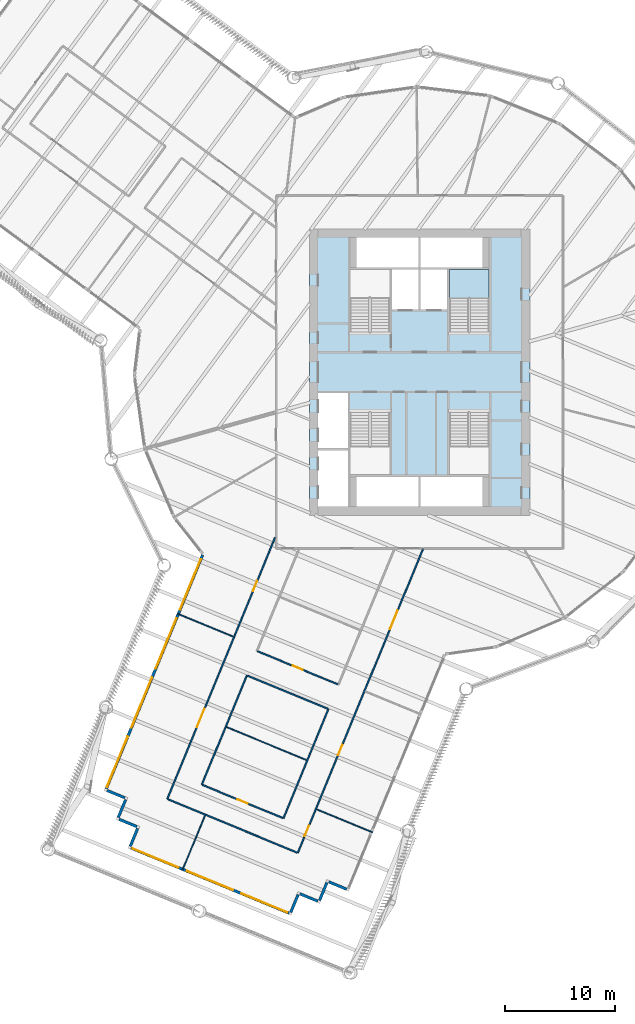
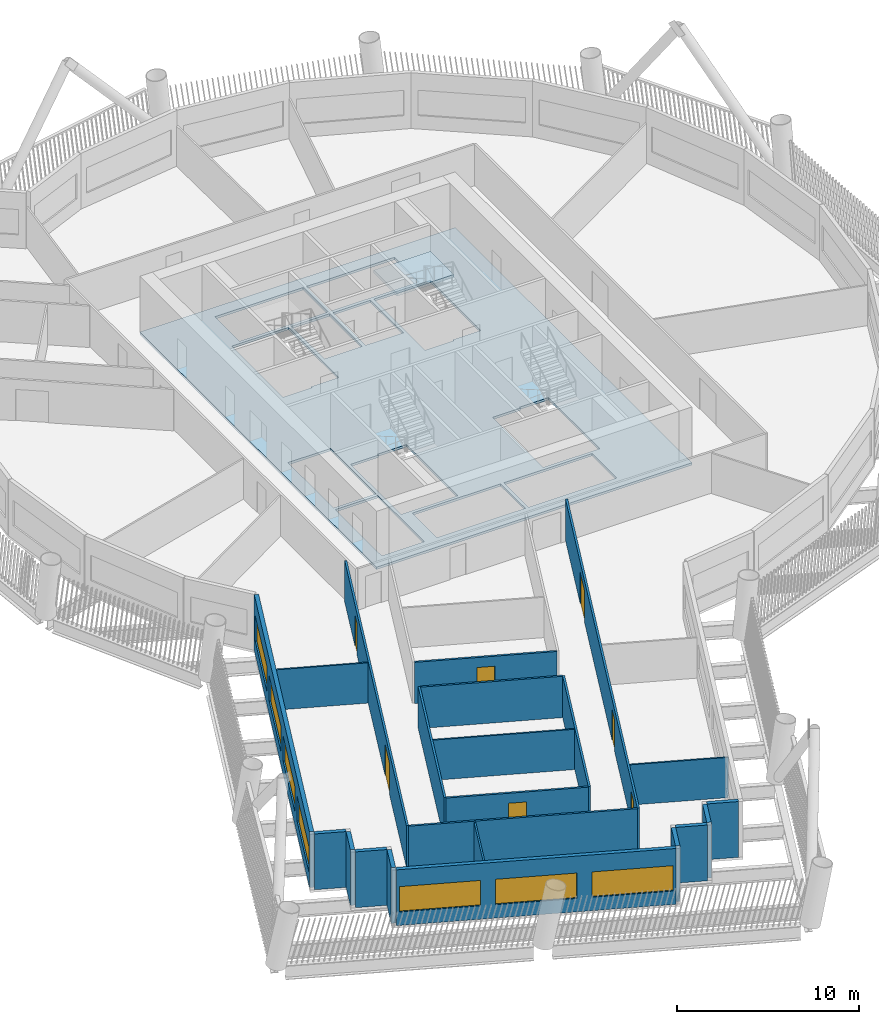
# One storey, part 3 of 23: 22 walls, 7 doors, 7 windows, 2 slabs, 14 openings, 1 element without a shape of its own.
"""IFC4 building model written with IfcOpenShell, lengths in metres."""

from ifc_helpers import new_model, si_unit, direction, frame, frame_2d, origin, place, context, subcontext, project, spatial, polyline, rectangle, outline, extrude, material, layer, layer_set, type_object, element, fill, aggregate, save


model = new_model("IFC4")

# Units and contexts
model_context = context("Model", 3, precision=1e-05, world=origin(), true_north=direction((0.0, 1.0)))
body_context = subcontext(model_context, "Body", "Model", "MODEL_VIEW")
ifc_project = project(units=[si_unit("LENGTHUNIT", "METRE"), si_unit("AREAUNIT", "SQUARE_METRE"), si_unit("VOLUMEUNIT", "CUBIC_METRE"), si_unit("PLANEANGLEUNIT", "RADIAN"), si_unit("MASSUNIT", "GRAM", prefix="KILO")], contexts=[model_context])

# Site, building, storey
site_placement = place(None, origin())
site = spatial("IfcSite", under=ifc_project, at=site_placement, CompositionType="ELEMENT")
building_placement = place(site_placement, origin())
building = spatial("IfcBuilding", under=site, at=building_placement, Name="Tarsis Ring Headquarters", CompositionType="ELEMENT")
storey_placement = place(building_placement, frame((0.0, 0.0, 124.0)))
storey = spatial("IfcBuildingStorey", under=building, at=storey_placement, Name="L28", CompositionType="ELEMENT", Elevation=124.0)

# Slab
ifc_material_1 = material(Name="Concrete C40/50", Category="concrete")
ifc_layer_1 = layer(ifc_material_1, 0.159912109375)
ifc_layer_set_1 = layer_set([ifc_layer_1], Name="Core floor slab 160 C40/50")
slab_type_1 = type_object("IfcSlabType", Name="Core floor slab 160 C40/50", PredefinedType="FLOOR", material=ifc_layer_set_1)
slab_1_placement = place(storey_placement, frame((0.0, 0.0, -0.159912109375)))
element("IfcSlab", 1, at=slab_1_placement, inside=storey, type_object=slab_type_1, Name="L28 core floor slab", PredefinedType="FLOOR", context=body_context, shape_type="SweptSolid", body=[
    extrude(outline(polyline([(-10.0, -13.0), (10.0, -13.0), (10.0, 13.0), (-10.0, 13.0), (-10.0, -13.0)]), holes=[polyline([(-2.5, 5.699951171875), (-0.10009765625, 5.699951171875), (-0.10009765625, 9.300048828125), (-2.5, 9.300048828125), (-2.5, 5.699951171875)]), polyline([(0.10009765625, 5.699951171875), (2.5, 5.699951171875), (2.5, 9.300048828125), (0.10009765625, 9.300048828125), (0.10009765625, 5.699951171875)]), polyline([(-9.199951171875, -12.199951171875), (-6.5, -12.199951171875), (-6.5, -7.10009765625), (-9.199951171875, -7.10009765625), (-9.199951171875, -12.199951171875)]), polyline([(-9.199951171875, -6.89990234375), (-6.5, -6.89990234375), (-6.5, -1.89990234375), (-9.199951171875, -1.89990234375), (-9.199951171875, -6.89990234375)]), polyline([(-5.699951171875, 9.5), (-0.10009765625, 9.5), (-0.10009765625, 12.199951171875), (-5.699951171875, 12.199951171875), (-5.699951171875, 9.5)]), polyline([(0.10009765625, 9.5), (5.699951171875, 9.5), (5.699951171875, 12.199951171875), (0.10009765625, 12.199951171875), (0.10009765625, 9.5)]), polyline([(-5.699951171875, -12.199951171875), (-0.10009765625, -12.199951171875), (-0.10009765625, -9.5), (-5.699951171875, -9.5), (-5.699951171875, -12.199951171875)]), polyline([(0.10009765625, -12.199951171875), (5.699951171875, -12.199951171875), (5.699951171875, -9.5), (0.10009765625, -9.5), (0.10009765625, -12.199951171875)]), polyline([(-2.699951171875, 3.760009765625), (-2.699951171875, 9.300048828125), (-6.300048828125, 9.300048828125), (-6.300048828125, 3.659912109375), (-4.4599609375, 3.659912109375), (-4.4599609375, 3.760009765625), (-2.699951171875, 3.760009765625)]), polyline([(6.300048828125, 3.760009765625), (6.300048828125, 9.300048828125), (2.699951171875, 9.300048828125), (2.699951171875, 3.659912109375), (4.5400390625, 3.659912109375), (4.5400390625, 3.760009765625), (6.300048828125, 3.760009765625)]), polyline([(-6.300048828125, -3.760009765625), (-6.300048828125, -9.300048828125), (-2.699951171875, -9.300048828125), (-2.699951171875, -3.659912109375), (-4.5400390625, -3.659912109375), (-4.5400390625, -3.760009765625), (-6.300048828125, -3.760009765625)]), polyline([(2.699951171875, -3.760009765625), (2.699951171875, -9.300048828125), (6.300048828125, -9.300048828125), (6.300048828125, -3.659912109375), (4.4599609375, -3.659912109375), (4.4599609375, -3.760009765625), (2.699951171875, -3.760009765625)])]), origin(), (0.0, 0.0, 1.0), 0.159912109375),
])

# Stair, slab
ifc_material_2 = material(Name="Core stair 1760")
stair_type = type_object("IfcStairType", Name="Core stair 1760", PredefinedType="HALF_TURN_STAIR", material=ifc_material_2)
stair_placement = place(storey_placement, origin())
stair = element("IfcStair", 2, at=stair_placement, inside=storey, type_object=stair_type, Name="L28 Exit stair B", PredefinedType="HALF_TURN_STAIR")
ifc_layer_2 = layer(ifc_material_1, 0.199951171875)
ifc_layer_set_2 = layer_set([ifc_layer_2], Name="Core stair landing 200")
slab_type_2 = type_object("IfcSlabType", Name="Core stair landing 200", PredefinedType="LANDING", material=ifc_layer_set_2)
slab_2_placement = place(storey_placement, frame((0.0, 0.0, 1.75)))
slab_2 = element("IfcSlab", 3, at=slab_2_placement, type_object=slab_type_2, Name="Stair ST2 landing 1", PredefinedType="LANDING", context=body_context, shape_type="SweptSolid", body=[
    extrude(outline(polyline([(6.300048828125, 6.739990234375), (6.300048828125, 9.300048828125), (2.699951171875, 9.300048828125), (2.699951171875, 6.739990234375), (6.300048828125, 6.739990234375)])), origin(), (0.0, 0.0, 1.0), 0.199951171875),
])
aggregate(stair, [slab_2])

# Walls
ifc_material_3 = material(Name="Gypsum board on steel studs", Category="steel")
ifc_layer_3 = layer(ifc_material_3, 0.10009765625)
ifc_layer_set_3 = layer_set([ifc_layer_3], Name="FL partition 100 unrated")
wall_type_1 = type_object("IfcWallType", Name="FL partition 100 unrated", PredefinedType="PARTITIONING", material=ifc_layer_set_3)
wall_1_placement = place(storey_placement, frame((-17.515869140625, -32.18359375, 0.0), z_axis=(0.0, 0.0, 1.0), x_axis=(0.924553254572, -0.381052856517, 0.0)))
element("IfcWall", 4, at=wall_1_placement, inside=storey, type_object=wall_type_1, Name="Partition PW3", PredefinedType="PARTITIONING", context=body_context, shape_type="SweptSolid", body=[
    extrude(rectangle(XDim=7.860107421875, YDim=0.10009765625, at=frame_2d((3.93017578125, 0.0))), origin(), (0.0, 0.0, 1.0), 2.699951171875),
])
wall_2_placement = place(storey_placement, frame((-21.95458984375, -21.90673828125, 0.0), z_axis=(0.0, 0.0, 1.0), x_axis=(0.924542413288, -0.381079159797, 0.0)))
element("IfcWall", 5, at=wall_2_placement, inside=storey, type_object=wall_type_1, Name="Partition PW3", PredefinedType="PARTITIONING", context=body_context, shape_type="SweptSolid", body=[
    extrude(rectangle(XDim=5.480224609375, YDim=0.10009765625, at=frame_2d((2.740234375, 0.0))), origin(), (0.0, 0.0, 1.0), 2.699951171875),
])
wall_3_placement = place(storey_placement, frame((-9.341064453125, -39.6416015625, 0.0), z_axis=(0.0, 0.0, 1.0), x_axis=(0.924558108734, -0.381041078591, 0.0)))
element("IfcWall", 6, at=wall_3_placement, inside=storey, type_object=wall_type_1, Name="Partition PW3", PredefinedType="PARTITIONING", context=body_context, shape_type="SweptSolid", body=[
    extrude(rectangle(XDim=5.47998046875, YDim=0.10009765625, at=frame_2d((2.739990234375, 0.0))), origin(), (0.0, 0.0, 1.0), 2.699951171875),
])
wall_4_placement = place(storey_placement, frame((-21.5029296875, -45.16357421875, 0.0), z_axis=(0.0, 0.0, 1.0), x_axis=(0.381035619802, 0.924560358464, 0.0)))
element("IfcWall", 7, at=wall_4_placement, inside=storey, type_object=wall_type_1, Name="Partition PW3", PredefinedType="PARTITIONING", context=body_context, shape_type="SweptSolid", body=[
    extrude(rectangle(XDim=5.369873046875, YDim=0.10009765625, at=frame_2d((2.68505859375, 0.0))), origin(), (0.0, 0.0, 1.0), 2.699951171875),
])

# Wall, openings, doors
ifc_layer_4 = layer(ifc_material_3, 0.125)
ifc_layer_set_4 = layer_set([ifc_layer_4], Name="FL partition 125 EI 60 H2770")
wall_type_2 = type_object("IfcWallType", Name="FL partition 125 EI 60 H2770", PredefinedType="PARTITIONING", material=ifc_layer_set_4)
wall_5_placement = place(storey_placement, frame((-11.044189453125, -43.59033203125, 0.0), z_axis=(0.0, 0.0, 1.0), x_axis=(0.381067853578, 0.92454707342, 0.0)))
wall_5 = element("IfcWall", 8, at=wall_5_placement, inside=storey, type_object=wall_type_2, Name="Partition PW1", PredefinedType="PARTITIONING", context=body_context, shape_type="SweptSolid", body=[
    extrude(rectangle(XDim=29.842041015625, YDim=0.125, at=frame_2d((14.9208984375, 0.0))), origin(), (0.0, 0.0, 1.0), 2.77001953125),
])
opening_1_placement = place(wall_5_placement, frame((21.957763671875, 0.0, 0.0)))
opening_1 = element("IfcOpeningElement", 9, at=opening_1_placement, cuts=wall_5, Name="Opening D28.09", PredefinedType="OPENING", context=body_context, shape_type="SweptSolid", body=[
    extrude(rectangle(XDim=1.800048828125, YDim=2.10009765625, at=frame_2d((0.89990234375, 1.050048828125))), frame((0.0, 0.072509765625, 0.0), z_axis=(0.0, -1.0, 0.0), x_axis=(1.0, 0.0, 0.0)), (0.0, 0.0, 1.0), 0.14501953125),
])
opening_2_placement = place(wall_5_placement, frame((9.585693359375, 0.0, 0.0)))
opening_2 = element("IfcOpeningElement", 10, at=opening_2_placement, cuts=wall_5, Name="Opening D28.10", PredefinedType="OPENING", context=body_context, shape_type="SweptSolid", body=[
    extrude(rectangle(XDim=1.0, YDim=2.10009765625, at=frame_2d((0.5, 1.050048828125))), frame((0.0, 0.072509765625, 0.0), z_axis=(0.0, -1.0, 0.0), x_axis=(1.0, 0.0, 0.0)), (0.0, 0.0, 1.0), 0.14501953125),
])
opening_3_placement = place(wall_5_placement, frame((1.64892578125, 0.0, 0.0)))
opening_3 = element("IfcOpeningElement", 11, at=opening_3_placement, cuts=wall_5, Name="Opening D28.11", PredefinedType="OPENING", context=body_context, shape_type="SweptSolid", body=[
    extrude(rectangle(XDim=1.0, YDim=2.10009765625, at=frame_2d((0.5, 1.050048828125))), frame((0.0, 0.072509765625, 0.0), z_axis=(0.0, -1.0, 0.0), x_axis=(1.0, 0.0, 0.0)), (0.0, 0.0, 1.0), 0.14501953125),
])
ifc_material_4 = material(Name="Fire-rated timber door leaf in steel frame", Category="steel")
door_type_1 = type_object("IfcDoorType", Name="FL door FD60-1000", OperationType="NOTDEFINED", PredefinedType="DOOR", material=ifc_material_4)
door_1_placement = place(opening_2_placement, origin())
door_1 = element("IfcDoor", 12, at=door_1_placement, inside=storey, type_object=door_type_1, Name="Door D28.10", OperationType="SINGLE_SWING_RIGHT", OverallHeight=2.10009765625, OverallWidth=1.0, PredefinedType="DOOR", context=body_context, shape_type="SweptSolid", body=[
    extrude(rectangle(XDim=1.0, YDim=2.10009765625, at=frame_2d((0.5, 1.050048828125))), frame((0.0, 0.02490234375, 0.0), z_axis=(0.0, -1.0, 0.0), x_axis=(1.0, 0.0, 0.0)), (0.0, 0.0, 1.0), 0.050048828125),
])
fill(opening_2, door_1)
door_2_placement = place(opening_3_placement, origin())
door_2 = element("IfcDoor", 13, at=door_2_placement, inside=storey, type_object=door_type_1, Name="Door D28.11", OperationType="SINGLE_SWING_LEFT", OverallHeight=2.10009765625, OverallWidth=1.0, PredefinedType="DOOR", context=body_context, shape_type="SweptSolid", body=[
    extrude(rectangle(XDim=1.0, YDim=2.10009765625, at=frame_2d((0.5, 1.050048828125))), frame((0.0, 0.02490234375, 0.0), z_axis=(0.0, -1.0, 0.0), x_axis=(1.0, 0.0, 0.0)), (0.0, 0.0, 1.0), 0.050048828125),
])
fill(opening_3, door_2)
door_type_2 = type_object("IfcDoorType", Name="FL door FD60-1800", OperationType="DOUBLE_DOOR_SINGLE_SWING", PredefinedType="DOOR", material=ifc_material_4)
door_3_placement = place(opening_1_placement, origin())
door_3 = element("IfcDoor", 14, at=door_3_placement, inside=storey, type_object=door_type_2, Name="Door D28.09", OperationType="DOUBLE_DOOR_SINGLE_SWING", OverallHeight=2.10009765625, OverallWidth=1.800048828125, PredefinedType="DOOR", context=body_context, shape_type="SweptSolid", body=[
    extrude(rectangle(XDim=1.800048828125, YDim=2.10009765625, at=frame_2d((0.89990234375, 1.050048828125))), frame((0.0, 0.02490234375, 0.0), z_axis=(0.0, -1.0, 0.0), x_axis=(1.0, 0.0, 0.0)), (0.0, 0.0, 1.0), 0.050048828125),
])
fill(opening_1, door_3)

wall_6_placement = place(storey_placement, frame((-22.87841796875, -38.712646484375, 0.0), z_axis=(0.0, 0.0, 1.0), x_axis=(0.381064034018, 0.924548647708, 0.0)))
wall_6 = element("IfcWall", 15, at=wall_6_placement, inside=storey, type_object=wall_type_2, Name="Partition PW1", PredefinedType="PARTITIONING", context=body_context, shape_type="SweptSolid", body=[
    extrude(rectangle(XDim=25.633056640625, YDim=0.125, at=frame_2d((12.81640625, 0.0))), origin(), (0.0, 0.0, 1.0), 2.77001953125),
])
opening_4_placement = place(wall_6_placement, frame((7.04443359375, 0.0, 0.0)))
opening_4 = element("IfcOpeningElement", 16, at=opening_4_placement, cuts=wall_6, Name="Opening D28.12", PredefinedType="OPENING", context=body_context, shape_type="SweptSolid", body=[
    extrude(rectangle(XDim=1.800048828125, YDim=2.10009765625, at=frame_2d((0.89990234375, 1.050048828125))), frame((0.0, 0.072509765625, 0.0), z_axis=(0.0, -1.0, 0.0), x_axis=(1.0, 0.0, 0.0)), (0.0, 0.0, 1.0), 0.14501953125),
])
opening_5_placement = place(wall_6_placement, frame((20.406005859375, 0.0, 0.0)))
opening_5 = element("IfcOpeningElement", 17, at=opening_5_placement, cuts=wall_6, Name="Opening D28.13", PredefinedType="OPENING", context=body_context, shape_type="SweptSolid", body=[
    extrude(rectangle(XDim=1.0, YDim=2.10009765625, at=frame_2d((0.5, 1.050048828125))), frame((0.0, 0.072509765625, 0.0), z_axis=(0.0, -1.0, 0.0), x_axis=(1.0, 0.0, 0.0)), (0.0, 0.0, 1.0), 0.14501953125),
])
door_4_placement = place(opening_5_placement, origin())
door_4 = element("IfcDoor", 18, at=door_4_placement, inside=storey, type_object=door_type_1, Name="Door D28.13", OperationType="SINGLE_SWING_LEFT", OverallHeight=2.10009765625, OverallWidth=1.0, PredefinedType="DOOR", context=body_context, shape_type="SweptSolid", body=[
    extrude(rectangle(XDim=1.0, YDim=2.10009765625, at=frame_2d((0.5, 1.050048828125))), frame((0.0, 0.02490234375, 0.0), z_axis=(0.0, -1.0, 0.0), x_axis=(1.0, 0.0, 0.0)), (0.0, 0.0, 1.0), 0.050048828125),
])
fill(opening_5, door_4)
door_5_placement = place(opening_4_placement, origin())
door_5 = element("IfcDoor", 19, at=door_5_placement, inside=storey, type_object=door_type_2, Name="Door D28.12", OperationType="DOUBLE_DOOR_SINGLE_SWING", OverallHeight=2.10009765625, OverallWidth=1.800048828125, PredefinedType="DOOR", context=body_context, shape_type="SweptSolid", body=[
    extrude(rectangle(XDim=1.800048828125, YDim=2.10009765625, at=frame_2d((0.89990234375, 1.050048828125))), frame((0.0, 0.02490234375, 0.0), z_axis=(0.0, -1.0, 0.0), x_axis=(1.0, 0.0, 0.0)), (0.0, 0.0, 1.0), 0.050048828125),
])
fill(opening_4, door_5)

# Walls
wall_7_placement = place(storey_placement, frame((-22.822998046875, -38.735595703125, 0.0), z_axis=(0.0, 0.0, 1.0), x_axis=(0.924550045409, -0.381060642857, 0.0)))
element("IfcWall", 20, at=wall_7_placement, inside=storey, type_object=wall_type_2, Name="Partition PW1", PredefinedType="PARTITIONING", context=body_context, shape_type="SweptSolid", body=[
    extrude(rectangle(XDim=12.679931640625, YDim=0.125, at=frame_2d((6.33984375, 0.0))), origin(), (0.0, 0.0, 1.0), 2.77001953125),
])
for number, where, z_axis, x_axis, name in (
    (21, (-12.3486328125, -40.456787109375, 0.0), (0.0, 0.0, 1.0), (0.381074248352, 0.924544437679, 0.0), "Partition PW1"),
    (22, (-19.7451171875, -37.408447265625, 0.0), (0.0, 0.0, 1.0), (0.381074248352, 0.924544437679, 0.0), "Partition PW1"),
):
    element("IfcWall", number, at=place(storey_placement, frame(where, z_axis=z_axis, x_axis=x_axis)), inside=storey, type_object=wall_type_2, Name=name, PredefinedType="PARTITIONING", context=body_context, shape_type="SweptSolid", body=[
        extrude(rectangle(XDim=10.7099609375, YDim=0.125, at=frame_2d((5.35498046875, 0.0))), origin(), (0.0, 0.0, 1.0), 2.77001953125),
    ])
wall_8_placement = place(storey_placement, frame((-15.6083984375, -27.529296875, 0.0), z_axis=(0.0, 0.0, 1.0), x_axis=(0.924541368677, -0.381081694136, 0.0)))
element("IfcWall", 23, at=wall_8_placement, inside=storey, type_object=wall_type_2, Name="Partition PW1", PredefinedType="PARTITIONING", context=body_context, shape_type="SweptSolid", body=[
    extrude(rectangle(XDim=7.880126953125, YDim=0.125, at=frame_2d((3.93994140625, 0.0))), origin(), (0.0, 0.0, 1.0), 2.77001953125),
])

# Wall, opening, door
wall_9_placement = place(storey_placement, frame((-14.69384765625, -25.310302734375, 0.0), z_axis=(0.0, 0.0, 1.0), x_axis=(0.924545867827, -0.381070778576, 0.0)))
wall_9 = element("IfcWall", 24, at=wall_9_placement, inside=storey, type_object=wall_type_2, Name="Partition PW1", PredefinedType="PARTITIONING", context=body_context, shape_type="SweptSolid", body=[
    extrude(rectangle(XDim=7.880126953125, YDim=0.125, at=frame_2d((3.93994140625, 0.0))), origin(), (0.0, 0.0, 1.0), 2.77001953125),
])
opening_6_placement = place(wall_9_placement, frame((3.43994140625, 0.0, 0.0)))
opening_6 = element("IfcOpeningElement", 25, at=opening_6_placement, cuts=wall_9, Name="Opening D28.19", PredefinedType="OPENING", context=body_context, shape_type="SweptSolid", body=[
    extrude(rectangle(XDim=1.0, YDim=2.10009765625, at=frame_2d((0.5, 1.050048828125))), frame((0.0, 0.072509765625, 0.0), z_axis=(0.0, -1.0, 0.0), x_axis=(1.0, 0.0, 0.0)), (0.0, 0.0, 1.0), 0.14501953125),
])
door_6_placement = place(opening_6_placement, origin())
door_6 = element("IfcDoor", 26, at=door_6_placement, inside=storey, type_object=door_type_1, Name="Door D28.19", OperationType="SINGLE_SWING_LEFT", OverallHeight=2.10009765625, OverallWidth=1.0, PredefinedType="DOOR", context=body_context, shape_type="SweptSolid", body=[
    extrude(rectangle(XDim=1.0, YDim=2.10009765625, at=frame_2d((0.5, 1.050048828125))), frame((0.0, 0.02490234375, 0.0), z_axis=(0.0, -1.0, 0.0), x_axis=(1.0, 0.0, 0.0)), (0.0, 0.0, 1.0), 0.050048828125),
])
fill(opening_6, door_6)

wall_10_placement = place(storey_placement, frame((-19.689697265625, -37.43115234375, 0.0), z_axis=(0.0, 0.0, 1.0), x_axis=(0.924541368677, -0.381081694136, 0.0)))
wall_10 = element("IfcWall", 27, at=wall_10_placement, inside=storey, type_object=wall_type_2, Name="Partition PW1", PredefinedType="PARTITIONING", context=body_context, shape_type="SweptSolid", body=[
    extrude(rectangle(XDim=7.880126953125, YDim=0.125, at=frame_2d((3.93994140625, 0.0))), origin(), (0.0, 0.0, 1.0), 2.77001953125),
])
opening_7_placement = place(wall_10_placement, frame((3.43994140625, 0.0, 0.0)))
opening_7 = element("IfcOpeningElement", 28, at=opening_7_placement, cuts=wall_10, Name="Opening D28.20", PredefinedType="OPENING", context=body_context, shape_type="SweptSolid", body=[
    extrude(rectangle(XDim=1.0, YDim=2.10009765625, at=frame_2d((0.5, 1.050048828125))), frame((0.0, 0.072509765625, 0.0), z_axis=(0.0, -1.0, 0.0), x_axis=(1.0, 0.0, 0.0)), (0.0, 0.0, 1.0), 0.14501953125),
])
door_7_placement = place(opening_7_placement, origin())
door_7 = element("IfcDoor", 29, at=door_7_placement, inside=storey, type_object=door_type_1, Name="Door D28.20", OperationType="SINGLE_SWING_RIGHT", OverallHeight=2.10009765625, OverallWidth=1.0, PredefinedType="DOOR", context=body_context, shape_type="SweptSolid", body=[
    extrude(rectangle(XDim=1.0, YDim=2.10009765625, at=frame_2d((0.5, 1.050048828125))), frame((0.0, 0.02490234375, 0.0), z_axis=(0.0, -1.0, 0.0), x_axis=(1.0, 0.0, 0.0)), (0.0, 0.0, 1.0), 0.050048828125),
])
fill(opening_7, door_7)

# Wall, openings, windows
ifc_material_5 = material(Name="Terracotta clad insulated panel wall", Category="masonry")
ifc_layer_5 = layer(ifc_material_5, 0.25)
ifc_layer_set_5 = layer_set([ifc_layer_5], Name="Facade wall terracotta panel 250")
wall_type_3 = type_object("IfcWallType", Name="Facade wall terracotta panel 250", PredefinedType="STANDARD", material=ifc_layer_set_5)
wall_11_placement = place(storey_placement, frame((-19.677978515625, -16.580322265625, 0.0), z_axis=(0.0, 0.0, 1.0), x_axis=(-0.38107013058, -0.924546134911, 0.0)))
wall_11 = element("IfcWall", 30, at=wall_11_placement, inside=storey, type_object=wall_type_3, Name="External wall L28-06", PredefinedType="STANDARD", context=body_context, shape_type="SweptSolid", body=[
    extrude(rectangle(XDim=22.921875, YDim=0.25, at=frame_2d((11.4609375, 0.0))), origin(), (0.0, 0.0, 1.0), 3.739990234375),
])
opening_8_placement = place(wall_11_placement, frame((0.42138671875, 0.0, 0.89990234375)))
opening_8 = element("IfcOpeningElement", 31, at=opening_8_placement, cuts=wall_11, Name="Opening WN05", PredefinedType="OPENING", context=body_context, shape_type="SweptSolid", body=[
    extrude(rectangle(XDim=4.949951171875, YDim=1.699951171875, at=frame_2d((2.47509765625, 0.85009765625))), frame((0.0, 0.135009765625, 0.0), z_axis=(0.0, -1.0, 0.0), x_axis=(1.0, 0.0, 0.0)), (0.0, 0.0, 1.0), 0.27001953125),
])
opening_9_placement = place(wall_11_placement, frame((6.214599609375, 0.0, 0.89990234375)))
opening_9 = element("IfcOpeningElement", 32, at=opening_9_placement, cuts=wall_11, Name="Opening WN05", PredefinedType="OPENING", context=body_context, shape_type="SweptSolid", body=[
    extrude(rectangle(XDim=4.949951171875, YDim=1.699951171875, at=frame_2d((2.47509765625, 0.85009765625))), frame((0.0, 0.135009765625, 0.0), z_axis=(0.0, -1.0, 0.0), x_axis=(1.0, 0.0, 0.0)), (0.0, 0.0, 1.0), 0.27001953125),
])
opening_10_placement = place(wall_11_placement, frame((12.007568359375, 0.0, 0.89990234375)))
opening_10 = element("IfcOpeningElement", 33, at=opening_10_placement, cuts=wall_11, Name="Opening WN05", PredefinedType="OPENING", context=body_context, shape_type="SweptSolid", body=[
    extrude(rectangle(XDim=4.949951171875, YDim=1.699951171875, at=frame_2d((2.47509765625, 0.85009765625))), frame((0.0, 0.135009765625, 0.0), z_axis=(0.0, -1.0, 0.0), x_axis=(1.0, 0.0, 0.0)), (0.0, 0.0, 1.0), 0.27001953125),
])
opening_11_placement = place(wall_11_placement, frame((17.800537109375, 0.0, 0.89990234375)))
opening_11 = element("IfcOpeningElement", 34, at=opening_11_placement, cuts=wall_11, Name="Opening WN05", PredefinedType="OPENING", context=body_context, shape_type="SweptSolid", body=[
    extrude(rectangle(XDim=4.949951171875, YDim=1.699951171875, at=frame_2d((2.47509765625, 0.85009765625))), frame((0.0, 0.135009765625, 0.0), z_axis=(0.0, -1.0, 0.0), x_axis=(1.0, 0.0, 0.0)), (0.0, 0.0, 1.0), 0.27001953125),
])
ifc_material_6 = material(Name="Aluminium framed double glazing", Category="aluminium")
window_type_1 = type_object("IfcWindowType", Name="Facade window 4950 x 1700", PartitioningType="SINGLE_PANEL", PredefinedType="WINDOW", material=ifc_material_6)
window_1_placement = place(opening_8_placement, origin())
window_1 = element("IfcWindow", 35, at=window_1_placement, inside=storey, type_object=window_type_1, Name="Window L28-06.1", OverallHeight=1.699951171875, OverallWidth=4.949951171875, PartitioningType="SINGLE_PANEL", PredefinedType="WINDOW", context=body_context, shape_type="SweptSolid", body=[
    extrude(rectangle(XDim=4.949951171875, YDim=1.699951171875, at=frame_2d((2.47509765625, 0.85009765625))), frame((0.0, 0.030029296875, 0.0), z_axis=(0.0, -1.0, 0.0), x_axis=(1.0, 0.0, 0.0)), (0.0, 0.0, 1.0), 0.06005859375),
])
fill(opening_8, window_1)
window_2_placement = place(opening_9_placement, origin())
window_2 = element("IfcWindow", 36, at=window_2_placement, inside=storey, type_object=window_type_1, Name="Window L28-06.2", OverallHeight=1.699951171875, OverallWidth=4.949951171875, PartitioningType="SINGLE_PANEL", PredefinedType="WINDOW", context=body_context, shape_type="SweptSolid", body=[
    extrude(rectangle(XDim=4.949951171875, YDim=1.699951171875, at=frame_2d((2.47509765625, 0.85009765625))), frame((0.0, 0.030029296875, 0.0), z_axis=(0.0, -1.0, 0.0), x_axis=(1.0, 0.0, 0.0)), (0.0, 0.0, 1.0), 0.06005859375),
])
fill(opening_9, window_2)
window_3_placement = place(opening_10_placement, origin())
window_3 = element("IfcWindow", 37, at=window_3_placement, inside=storey, type_object=window_type_1, Name="Window L28-06.3", OverallHeight=1.699951171875, OverallWidth=4.949951171875, PartitioningType="SINGLE_PANEL", PredefinedType="WINDOW", context=body_context, shape_type="SweptSolid", body=[
    extrude(rectangle(XDim=4.949951171875, YDim=1.699951171875, at=frame_2d((2.47509765625, 0.85009765625))), frame((0.0, 0.030029296875, 0.0), z_axis=(0.0, -1.0, 0.0), x_axis=(1.0, 0.0, 0.0)), (0.0, 0.0, 1.0), 0.06005859375),
])
fill(opening_10, window_3)
window_4_placement = place(opening_11_placement, origin())
window_4 = element("IfcWindow", 38, at=window_4_placement, inside=storey, type_object=window_type_1, Name="Window L28-06.4", OverallHeight=1.699951171875, OverallWidth=4.949951171875, PartitioningType="SINGLE_PANEL", PredefinedType="WINDOW", context=body_context, shape_type="SweptSolid", body=[
    extrude(rectangle(XDim=4.949951171875, YDim=1.699951171875, at=frame_2d((2.47509765625, 0.85009765625))), frame((0.0, 0.030029296875, 0.0), z_axis=(0.0, -1.0, 0.0), x_axis=(1.0, 0.0, 0.0)), (0.0, 0.0, 1.0), 0.06005859375),
])
fill(opening_11, window_4)

# Walls
for number, where, z_axis, x_axis, name in (
    (39, (-28.344970703125, -37.93603515625, 0.0), (0.0, 0.0, 1.0), (0.92456826392, -0.381016437116, 0.0), "External wall L28-07"),
    (40, (-26.6591796875, -38.76611328125, 0.0), (0.0, 0.0, 1.0), (-0.381016437116, -0.92456826392, 0.0), "External wall L28-08"),
    (41, (-27.258056640625, -40.547119140625, 0.0), (0.0, 0.0, 1.0), (0.924519110971, -0.381135689026, 0.0), "External wall L28-09"),
    (42, (-25.572265625, -41.377197265625, 0.0), (0.0, 0.0, 1.0), (-0.381016437116, -0.92456826392, 0.0), "External wall L28-10"),
):
    element("IfcWall", number, at=place(storey_placement, frame(where, z_axis=z_axis, x_axis=x_axis)), inside=storey, type_object=wall_type_3, Name=name, PredefinedType="STANDARD", context=body_context, shape_type="SweptSolid", body=[
        extrude(rectangle(XDim=1.75, YDim=0.25, at=frame_2d((0.875, 0.0))), origin(), (0.0, 0.0, 1.0), 3.739990234375),
    ])

# Wall, openings, windows
wall_12_placement = place(storey_placement, frame((-26.171142578125, -43.158447265625, 0.0), z_axis=(0.0, 0.0, 1.0), x_axis=(0.924549195309, -0.381062705409, 0.0)))
wall_12 = element("IfcWall", 43, at=wall_12_placement, inside=storey, type_object=wall_type_3, Name="External wall L28-11", PredefinedType="STANDARD", context=body_context, shape_type="SweptSolid", body=[
    extrude(rectangle(XDim=15.5, YDim=0.25, at=frame_2d((7.75, 0.0))), origin(), (0.0, 0.0, 1.0), 3.739990234375),
])
opening_12_placement = place(wall_12_placement, frame((0.166748046875, 0.0, 0.89990234375)))
opening_12 = element("IfcOpeningElement", 44, at=opening_12_placement, cuts=wall_12, Name="Opening WN04", PredefinedType="OPENING", context=body_context, shape_type="SweptSolid", body=[
    extrude(rectangle(XDim=4.5, YDim=1.699951171875, at=frame_2d((2.25, 0.85009765625))), frame((0.0, 0.135009765625, 0.0), z_axis=(0.0, -1.0, 0.0), x_axis=(1.0, 0.0, 0.0)), (0.0, 0.0, 1.0), 0.27001953125),
])
opening_13_placement = place(wall_12_placement, frame((5.5, 0.0, 0.89990234375)))
opening_13 = element("IfcOpeningElement", 45, at=opening_13_placement, cuts=wall_12, Name="Opening WN04", PredefinedType="OPENING", context=body_context, shape_type="SweptSolid", body=[
    extrude(rectangle(XDim=4.5, YDim=1.699951171875, at=frame_2d((2.25, 0.85009765625))), frame((0.0, 0.135009765625, 0.0), z_axis=(0.0, -1.0, 0.0), x_axis=(1.0, 0.0, 0.0)), (0.0, 0.0, 1.0), 0.27001953125),
])
opening_14_placement = place(wall_12_placement, frame((10.833251953125, 0.0, 0.89990234375)))
opening_14 = element("IfcOpeningElement", 46, at=opening_14_placement, cuts=wall_12, Name="Opening WN04", PredefinedType="OPENING", context=body_context, shape_type="SweptSolid", body=[
    extrude(rectangle(XDim=4.5, YDim=1.699951171875, at=frame_2d((2.25, 0.85009765625))), frame((0.0, 0.135009765625, 0.0), z_axis=(0.0, -1.0, 0.0), x_axis=(1.0, 0.0, 0.0)), (0.0, 0.0, 1.0), 0.27001953125),
])
window_type_2 = type_object("IfcWindowType", Name="Facade window 4500 x 1700", PartitioningType="SINGLE_PANEL", PredefinedType="WINDOW", material=ifc_material_6)
window_5_placement = place(opening_12_placement, origin())
window_5 = element("IfcWindow", 47, at=window_5_placement, inside=storey, type_object=window_type_2, Name="Window L28-11.1", OverallHeight=1.699951171875, OverallWidth=4.5, PartitioningType="SINGLE_PANEL", PredefinedType="WINDOW", context=body_context, shape_type="SweptSolid", body=[
    extrude(rectangle(XDim=4.5, YDim=1.699951171875, at=frame_2d((2.25, 0.85009765625))), frame((0.0, 0.030029296875, 0.0), z_axis=(0.0, -1.0, 0.0), x_axis=(1.0, 0.0, 0.0)), (0.0, 0.0, 1.0), 0.06005859375),
])
fill(opening_12, window_5)
window_6_placement = place(opening_13_placement, origin())
window_6 = element("IfcWindow", 48, at=window_6_placement, inside=storey, type_object=window_type_2, Name="Window L28-11.2", OverallHeight=1.699951171875, OverallWidth=4.5, PartitioningType="SINGLE_PANEL", PredefinedType="WINDOW", context=body_context, shape_type="SweptSolid", body=[
    extrude(rectangle(XDim=4.5, YDim=1.699951171875, at=frame_2d((2.25, 0.85009765625))), frame((0.0, 0.030029296875, 0.0), z_axis=(0.0, -1.0, 0.0), x_axis=(1.0, 0.0, 0.0)), (0.0, 0.0, 1.0), 0.06005859375),
])
fill(opening_13, window_6)
window_7_placement = place(opening_14_placement, origin())
window_7 = element("IfcWindow", 49, at=window_7_placement, inside=storey, type_object=window_type_2, Name="Window L28-11.3", OverallHeight=1.699951171875, OverallWidth=4.5, PartitioningType="SINGLE_PANEL", PredefinedType="WINDOW", context=body_context, shape_type="SweptSolid", body=[
    extrude(rectangle(XDim=4.5, YDim=1.699951171875, at=frame_2d((2.25, 0.85009765625))), frame((0.0, 0.030029296875, 0.0), z_axis=(0.0, -1.0, 0.0), x_axis=(1.0, 0.0, 0.0)), (0.0, 0.0, 1.0), 0.06005859375),
])
fill(opening_14, window_7)

# Walls
for number, where, z_axis, x_axis, name in (
    (50, (-11.677490234375, -48.9970703125, 0.0), (0.0, 0.0, 1.0), (0.381135689026, 0.924519110971, 0.0), "External wall L28-12"),
    (51, (-10.847412109375, -47.311279296875, 0.0), (0.0, 0.0, 1.0), (0.92456826392, -0.381016437116, 0.0), "External wall L28-13"),
    (52, (-9.066162109375, -47.91015625, 0.0), (0.0, 0.0, 1.0), (0.381016437116, 0.92456826392, 0.0), "External wall L28-14"),
    (53, (-8.236083984375, -46.224365234375, 0.0), (0.0, 0.0, 1.0), (0.92456826392, -0.381016437116, 0.0), "External wall L28-15"),
):
    element("IfcWall", number, at=place(storey_placement, frame(where, z_axis=z_axis, x_axis=x_axis)), inside=storey, type_object=wall_type_3, Name=name, PredefinedType="STANDARD", context=body_context, shape_type="SweptSolid", body=[
        extrude(rectangle(XDim=1.75, YDim=0.25, at=frame_2d((0.875, 0.0))), origin(), (0.0, 0.0, 1.0), 3.739990234375),
    ])

save(model, "model.ifc")
